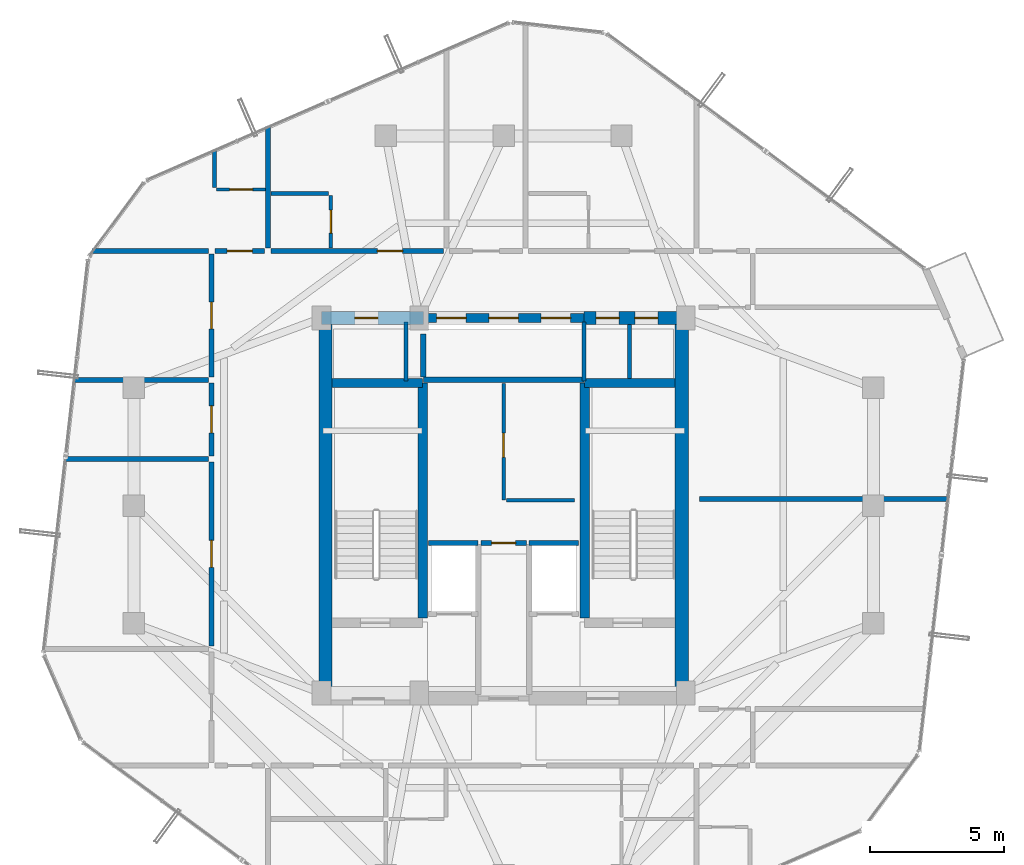
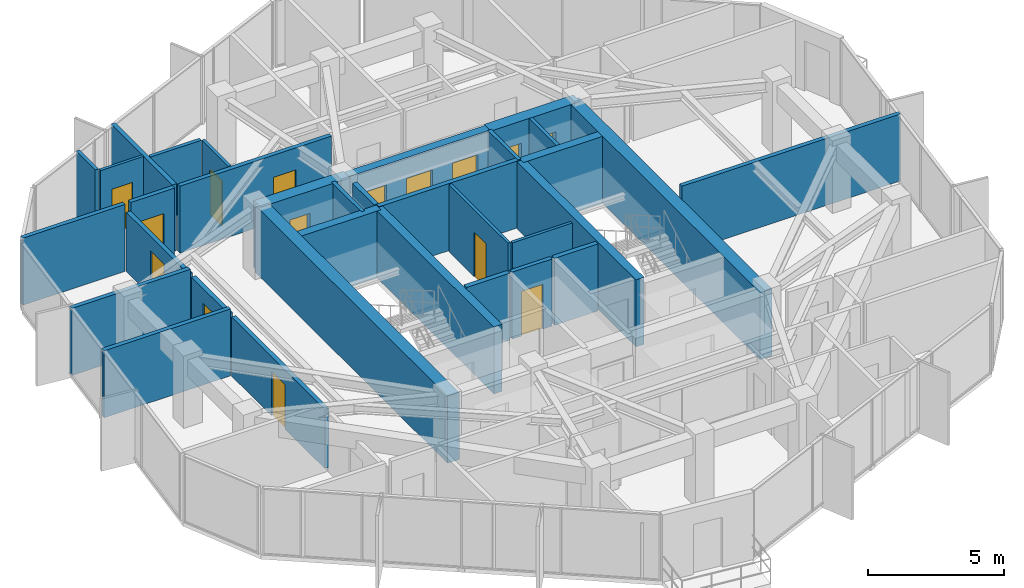
# One storey, part 27 of 30: 33 walls, 15 doors, 15 openings.
"""IFC4 building model written with IfcOpenShell, lengths in metres."""

from ifc_helpers import new_model, si_unit, direction, frame, frame_2d, origin, place, context, subcontext, project, spatial, rectangle, extrude, source, transform, mapped, material, layer, layer_set, type_object, element, fill, save


model = new_model("IFC4")

# Units and contexts
model_context = context("Model", 3, precision=1e-05, world=origin(), true_north=direction((0.0, 1.0)))
body_context = subcontext(model_context, "Body", "Model", "MODEL_VIEW")
ifc_project = project(units=[si_unit("LENGTHUNIT", "METRE"), si_unit("AREAUNIT", "SQUARE_METRE"), si_unit("VOLUMEUNIT", "CUBIC_METRE"), si_unit("PLANEANGLEUNIT", "RADIAN"), si_unit("MASSUNIT", "GRAM", prefix="KILO")], contexts=[model_context])

# Site, building, storey
site_placement = place(None, origin())
site = spatial("IfcSite", under=ifc_project, at=site_placement, CompositionType="ELEMENT")
building_placement = place(site_placement, origin())
building = spatial("IfcBuilding", under=site, at=building_placement, Name="Veraguas Prism Commons", CompositionType="ELEMENT")
storey_placement = place(building_placement, frame((0.0, 0.0, 230.050048828125)))
storey = spatial("IfcBuildingStorey", under=building, at=storey_placement, Name="L65", CompositionType="ELEMENT", Elevation=230.050048828125)

# Wall, openings, doors
ifc_material_1 = material(Name="Concrete C50/60", Category="concrete")
ifc_layer_1 = layer(ifc_material_1, 0.35009765625, Name="Core Internal Shear Wall Upper RC 350", Category="concrete")
ifc_layer_set_1 = layer_set([ifc_layer_1], Name="Concrete C50/60")
wall_type_1 = type_object("IfcWallType", Name="Core Internal Shear Wall Upper RC 350", PredefinedType="SHEAR", material=ifc_layer_set_1)
wall_1_placement = place(storey_placement, frame((21.0, 31.0, 0.0), z_axis=(0.0, 0.0, 1.0), x_axis=(1.0, 0.0, 0.0)))
wall_1 = element("IfcWall", 1, at=wall_1_placement, inside=storey, type_object=wall_type_1, Name="High-Rise Lift Bank Front Shear Wall L65", PredefinedType="SHEAR", context=body_context, shape_type="SweptSolid", body=[
    extrude(rectangle(XDim=6.0, YDim=0.35009765625, at=frame_2d((3.0, 0.0))), origin(), (0.0, 0.0, 1.0), 3.014892578125),
])
opening_1_placement = place(wall_1_placement, frame((0.5, 0.0, 0.0)))
opening_1 = element("IfcOpeningElement", 2, at=opening_1_placement, cuts=wall_1, Name="Opening LD-01", PredefinedType="OPENING", context=body_context, shape_type="SweptSolid", body=[
    extrude(rectangle(XDim=1.10009765625, YDim=2.080078125, at=frame_2d((0.550048828125, 1.0400390625))), frame((0.0, 0.18505859375, 0.0), z_axis=(0.0, -1.0, 0.0), x_axis=(1.0, 0.0, 0.0)), (0.0, 0.0, 1.0), 0.3701171875),
])
opening_2_placement = place(wall_1_placement, frame((2.449951171875, 0.0, 0.0)))
opening_2 = element("IfcOpeningElement", 3, at=opening_2_placement, cuts=wall_1, Name="Opening LD-01", PredefinedType="OPENING", context=body_context, shape_type="SweptSolid", body=[
    extrude(rectangle(XDim=1.10009765625, YDim=2.080078125, at=frame_2d((0.550048828125, 1.0400390625))), frame((0.0, 0.18505859375, 0.0), z_axis=(0.0, -1.0, 0.0), x_axis=(1.0, 0.0, 0.0)), (0.0, 0.0, 1.0), 0.3701171875),
])
opening_3_placement = place(wall_1_placement, frame((4.39990234375, 0.0, 0.0)))
opening_3 = element("IfcOpeningElement", 4, at=opening_3_placement, cuts=wall_1, Name="Opening LD-01", PredefinedType="OPENING", context=body_context, shape_type="SweptSolid", body=[
    extrude(rectangle(XDim=1.10009765625, YDim=2.080078125, at=frame_2d((0.550048828125, 1.0400390625))), frame((0.0, 0.18505859375, 0.0), z_axis=(0.0, -1.0, 0.0), x_axis=(1.0, 0.0, 0.0)), (0.0, 0.0, 1.0), 0.3701171875),
])
ifc_material_2 = material(Name="Stainless steel AISI 316", Category="steel")
door_type_1 = type_object("IfcDoorType", Name="Passenger Lift Sliding Landing Door 1100x2080", OperationType="NOTDEFINED", PredefinedType="DOOR", material=ifc_material_2)
shared_shape_1 = source(origin(), body_context, "Body", "SweptSolid", [
    extrude(rectangle(XDim=1.10009765625, YDim=2.080078125, at=frame_2d((0.550048828125, 1.0400390625))), frame((0.0, 0.02490234375, 0.0), z_axis=(0.0, -1.0, 0.0), x_axis=(1.0, 0.0, 0.0)), (0.0, 0.0, 1.0), 0.050048828125),
])
door_1_placement = place(opening_1_placement, origin())
door_1 = element("IfcDoor", 5, at=door_1_placement, inside=storey, type_object=door_type_1, Name="Sliding Landing Door PL-H1 L65", OperationType="SLIDING_TO_LEFT", OverallHeight=2.080078125, OverallWidth=1.10009765625, PredefinedType="DOOR", context=body_context, shape_type="MappedRepresentation", body=[
    mapped(shared_shape_1, transform((0.0, 0.0, 0.0), scale=1.0)),
])
fill(opening_1, door_1)
door_2_placement = place(opening_2_placement, origin())
door_2 = element("IfcDoor", 6, at=door_2_placement, inside=storey, type_object=door_type_1, Name="Sliding Landing Door PL-H2 L65", OperationType="SLIDING_TO_LEFT", OverallHeight=2.080078125, OverallWidth=1.10009765625, PredefinedType="DOOR", context=body_context, shape_type="MappedRepresentation", body=[
    mapped(shared_shape_1, transform((0.0, 0.0, 0.0), scale=1.0)),
])
fill(opening_2, door_2)
door_3_placement = place(opening_3_placement, origin())
door_3 = element("IfcDoor", 7, at=door_3_placement, inside=storey, type_object=door_type_1, Name="Sliding Landing Door PL-H3 L65", OperationType="SLIDING_TO_LEFT", OverallHeight=2.080078125, OverallWidth=1.10009765625, PredefinedType="DOOR", context=body_context, shape_type="MappedRepresentation", body=[
    mapped(shared_shape_1, transform((0.0, 0.0, 0.0), scale=1.0)),
])
fill(opening_3, door_3)

# Walls
for number, where, z_axis, x_axis, name in (
    (8, (20.97509765625, 19.800048828125, 0.0), (0.0, 0.0, 1.0), (0.0, 1.0, 0.0), "Stair ST-01 Inner Shear Wall L65"),
    (9, (27.02490234375, 19.800048828125, 0.0), (0.0, 0.0, 1.0), (0.0, 1.0, 0.0), "Stair ST-02 Inner Shear Wall L65"),
):
    element("IfcWall", number, at=place(storey_placement, frame(where, z_axis=z_axis, x_axis=x_axis)), inside=storey, type_object=wall_type_1, Name=name, PredefinedType="SHEAR", context=body_context, shape_type="SweptSolid", body=[
        extrude(rectangle(XDim=8.77490234375, YDim=0.35009765625, at=frame_2d((4.387451171875, 0.0))), origin(), (0.0, 0.0, 1.0), 3.014892578125),
    ])
for number, where, z_axis, x_axis, name in (
    (10, (17.60009765625, 28.574951171875, 0.0), (0.0, 0.0, 1.0), (1.0, 0.0, 0.0), "Stair ST-01 North Shear Wall L65"),
    (11, (27.02490234375, 28.574951171875, 0.0), (0.0, 0.0, 1.0), (1.0, 0.0, 0.0), "Stair ST-02 North Shear Wall L65"),
):
    element("IfcWall", number, at=place(storey_placement, frame(where, z_axis=z_axis, x_axis=x_axis)), inside=storey, type_object=wall_type_1, Name=name, PredefinedType="SHEAR", context=body_context, shape_type="SweptSolid", body=[
        extrude(rectangle(XDim=3.375, YDim=0.35009765625, at=frame_2d((1.6875, 0.0))), origin(), (0.0, 0.0, 1.0), 3.014892578125),
    ])
ifc_layer_2 = layer(ifc_material_1, 0.5, Name="Core Outer Shear Wall Upper RC 500", Category="concrete")
ifc_layer_set_2 = layer_set([ifc_layer_2], Name="Concrete C50/60")
wall_type_2 = type_object("IfcWallType", Name="Core Outer Shear Wall Upper RC 500", PredefinedType="SHEAR", material=ifc_layer_set_2)
for number, where, z_axis, x_axis, name in (
    (12, (17.35009765625, 16.800048828125, 0.0), (0.0, 0.0, 1.0), (0.0, 1.0, 0.0), "Central Core West Shear Wall L65"),
    (13, (30.64990234375, 16.800048828125, 0.0), (0.0, 0.0, 1.0), (0.0, 1.0, 0.0), "Central Core East Shear Wall L65"),
):
    element("IfcWall", number, at=place(storey_placement, frame(where, z_axis=z_axis, x_axis=x_axis)), inside=storey, type_object=wall_type_2, Name=name, PredefinedType="SHEAR", context=body_context, shape_type="SweptSolid", body=[
        extrude(rectangle(XDim=14.199951171875, YDim=0.5, at=frame_2d((7.10009765625, 0.0))), origin(), (0.0, 0.0, 1.0), 3.014892578125),
    ])

# Wall, opening, door
wall_2_placement = place(storey_placement, frame((17.199951171875, 31.0, 0.0), z_axis=(0.0, 0.0, 1.0), x_axis=(1.0, 0.0, 0.0)))
wall_2 = element("IfcWall", 14, at=wall_2_placement, inside=storey, type_object=wall_type_2, Name="Central Core North-West Shear Wall L65", PredefinedType="SHEAR", context=body_context, shape_type="SweptSolid", body=[
    extrude(rectangle(XDim=3.800048828125, YDim=0.5, at=frame_2d((1.89990234375, 0.0))), origin(), (0.0, 0.0, 1.0), 3.014892578125),
])
opening_4_placement = place(wall_2_placement, frame((1.25, 0.0, 0.0)))
opening_4 = element("IfcOpeningElement", 15, at=opening_4_placement, cuts=wall_2, Name="Opening DR-12", PredefinedType="OPENING", context=body_context, shape_type="SweptSolid", body=[
    extrude(rectangle(XDim=0.860107421875, YDim=2.010009765625, at=frame_2d((0.43017578125, 1.0048828125))), frame((0.0, 0.260009765625, 0.0), z_axis=(0.0, -1.0, 0.0), x_axis=(1.0, 0.0, 0.0)), (0.0, 0.0, 1.0), 0.52001953125),
])
ifc_material_3 = material(Name="Steel fire-rated door assembly", Category="steel")
door_type_2 = type_object("IfcDoorType", Name="Core WC Fire Door 860x2010", OperationType="NOTDEFINED", PredefinedType="DOOR", material=ifc_material_3)
shared_shape_2 = source(origin(), body_context, "Body", "SweptSolid", [
    extrude(rectangle(XDim=0.860107421875, YDim=2.010009765625, at=frame_2d((0.43017578125, 1.0048828125))), frame((0.0, 0.02490234375, 0.0), z_axis=(0.0, -1.0, 0.0), x_axis=(1.0, 0.0, 0.0)), (0.0, 0.0, 1.0), 0.050048828125),
])
door_4_placement = place(opening_4_placement, origin())
door_4 = element("IfcDoor", 16, at=door_4_placement, inside=storey, type_object=door_type_2, Name="Core NW Service Door L65", OperationType="SINGLE_SWING_RIGHT", OverallHeight=2.010009765625, OverallWidth=0.860107421875, PredefinedType="DOOR", context=body_context, shape_type="MappedRepresentation", body=[
    mapped(shared_shape_2, transform((0.0, 0.0, 0.0), scale=1.0)),
])
fill(opening_4, door_4)

# Wall, openings, doors
wall_3_placement = place(storey_placement, frame((27.0, 31.0, 0.0), z_axis=(0.0, 0.0, 1.0), x_axis=(1.0, 0.0, 0.0)))
wall_3 = element("IfcWall", 17, at=wall_3_placement, inside=storey, type_object=wall_type_2, Name="Central Core North-East Shear Wall L65", PredefinedType="SHEAR", context=body_context, shape_type="SweptSolid", body=[
    extrude(rectangle(XDim=3.800048828125, YDim=0.5, at=frame_2d((1.89990234375, 0.0))), origin(), (0.0, 0.0, 1.0), 3.014892578125),
])
opening_5_placement = place(wall_3_placement, frame((0.449951171875, 0.0, 0.0)))
opening_5 = element("IfcOpeningElement", 18, at=opening_5_placement, cuts=wall_3, Name="Opening DR-12", PredefinedType="OPENING", context=body_context, shape_type="SweptSolid", body=[
    extrude(rectangle(XDim=0.860107421875, YDim=2.010009765625, at=frame_2d((0.43017578125, 1.0048828125))), frame((0.0, 0.260009765625, 0.0), z_axis=(0.0, -1.0, 0.0), x_axis=(1.0, 0.0, 0.0)), (0.0, 0.0, 1.0), 0.52001953125),
])
opening_6_placement = place(wall_3_placement, frame((1.89990234375, 0.0, 0.0)))
opening_6 = element("IfcOpeningElement", 19, at=opening_6_placement, cuts=wall_3, Name="Opening DR-12", PredefinedType="OPENING", context=body_context, shape_type="SweptSolid", body=[
    extrude(rectangle(XDim=0.860107421875, YDim=2.010009765625, at=frame_2d((0.43017578125, 1.0048828125))), frame((0.0, 0.260009765625, 0.0), z_axis=(0.0, -1.0, 0.0), x_axis=(1.0, 0.0, 0.0)), (0.0, 0.0, 1.0), 0.52001953125),
])
door_5_placement = place(opening_5_placement, origin())
door_5 = element("IfcDoor", 20, at=door_5_placement, inside=storey, type_object=door_type_2, Name="Core NE Room A Door L65", OperationType="SINGLE_SWING_LEFT", OverallHeight=2.010009765625, OverallWidth=0.860107421875, PredefinedType="DOOR", context=body_context, shape_type="MappedRepresentation", body=[
    mapped(shared_shape_2, transform((0.0, 0.0, 0.0), scale=1.0)),
])
fill(opening_5, door_5)
door_6_placement = place(opening_6_placement, origin())
door_6 = element("IfcDoor", 21, at=door_6_placement, inside=storey, type_object=door_type_2, Name="Core NE Room B Door L65", OperationType="SINGLE_SWING_RIGHT", OverallHeight=2.010009765625, OverallWidth=0.860107421875, PredefinedType="DOOR", context=body_context, shape_type="MappedRepresentation", body=[
    mapped(shared_shape_2, transform((0.0, 0.0, 0.0), scale=1.0)),
])
fill(opening_6, door_6)

# Wall, opening, door
ifc_material_4 = material(Name="Autoclaved aerated masonry block 10 MPa", Category="masonry")
ifc_layer_3 = layer(ifc_material_4, 0.179931640625, Name="Corridor and Inter-Tenancy Partition 180", Category="masonry")
ifc_layer_set_3 = layer_set([ifc_layer_3], Name="Autoclaved aerated masonry block 10 MPa")
wall_type_3 = type_object("IfcWallType", Name="Corridor and Inter-Tenancy Partition 180", PredefinedType="PARTITIONING", material=ifc_layer_set_3)
wall_4_placement = place(storey_placement, frame((23.14990234375, 22.60009765625, 0.0), z_axis=(0.0, 0.0, 1.0), x_axis=(1.0, 0.0, 0.0)))
wall_4 = element("IfcWall", 22, at=wall_4_placement, inside=storey, type_object=wall_type_3, Name="Core Suite Entry Wall L65", PredefinedType="PARTITIONING", context=body_context, shape_type="SweptSolid", body=[
    extrude(rectangle(XDim=1.7001953125, YDim=0.179931640625, at=frame_2d((0.85009765625, 0.0))), origin(), (0.0, 0.0, 1.0), 3.014892578125),
])
opening_7_placement = place(wall_4_placement, frame((0.39990234375, 0.0, 0.0)))
opening_7 = element("IfcOpeningElement", 23, at=opening_7_placement, cuts=wall_4, Name="Opening DR-14", PredefinedType="OPENING", context=body_context, shape_type="SweptSolid", body=[
    extrude(rectangle(XDim=0.89990234375, YDim=2.010009765625, at=frame_2d((0.449951171875, 1.0048828125))), frame((0.0, 0.099853515625, 0.0), z_axis=(0.0, -1.0, 0.0), x_axis=(1.0, 0.0, 0.0)), (0.0, 0.0, 1.0), 0.199951171875),
])
door_type_3 = type_object("IfcDoorType", Name="Core Service Room Fire Door 900x2010", OperationType="NOTDEFINED", PredefinedType="DOOR", material=ifc_material_3)
shared_shape_3 = source(origin(), body_context, "Body", "SweptSolid", [
    extrude(rectangle(XDim=0.89990234375, YDim=2.010009765625, at=frame_2d((0.449951171875, 1.0048828125))), frame((0.0, 0.02490234375, 0.0), z_axis=(0.0, -1.0, 0.0), x_axis=(1.0, 0.0, 0.0)), (0.0, 0.0, 1.0), 0.050048828125),
])
door_7_placement = place(opening_7_placement, origin())
door_7 = element("IfcDoor", 24, at=door_7_placement, inside=storey, type_object=door_type_3, Name="Core Suite Entry Door L65", OperationType="SINGLE_SWING_LEFT", OverallHeight=2.010009765625, OverallWidth=0.89990234375, PredefinedType="DOOR", context=body_context, shape_type="MappedRepresentation", body=[
    mapped(shared_shape_3, transform((0.0, 0.0, 0.0), scale=1.0)),
])
fill(opening_7, door_7)

# Wall
wall_5_placement = place(storey_placement, frame((15.199951171875, 33.6201171875, 0.0), z_axis=(0.0, 0.0, 1.0), x_axis=(0.0, 1.0, 0.0)))
element("IfcWall", 25, at=wall_5_placement, inside=storey, type_object=wall_type_3, Name="WL-L65-PT013", PredefinedType="PARTITIONING", context=body_context, shape_type="SweptSolid", body=[
    extrude(rectangle(XDim=4.528076171875, YDim=0.179931640625, at=frame_2d((2.26416015625, 0.0))), origin(), (0.0, 0.0, 1.0), 3.014892578125),
])

# Wall, opening, door
wall_6_placement = place(storey_placement, frame((15.31005859375, 33.5, 0.0), z_axis=(0.0, 0.0, 1.0), x_axis=(1.0, 0.0, 0.0)))
wall_6 = element("IfcWall", 26, at=wall_6_placement, inside=storey, type_object=wall_type_3, Name="WL-L65-PT017", PredefinedType="PARTITIONING", context=body_context, shape_type="SweptSolid", body=[
    extrude(rectangle(XDim=6.449951171875, YDim=0.179931640625, at=frame_2d((3.22509765625, 0.0))), origin(), (0.0, 0.0, 1.0), 3.014892578125),
])
opening_8_placement = place(wall_6_placement, frame((3.97412109375, 0.0, 0.0)))
opening_8 = element("IfcOpeningElement", 27, at=opening_8_placement, cuts=wall_6, Name="Opening DR-01", PredefinedType="OPENING", context=body_context, shape_type="SweptSolid", body=[
    extrude(rectangle(XDim=0.949951171875, YDim=2.02001953125, at=frame_2d((0.47509765625, 1.010009765625))), frame((0.0, 0.099853515625, 0.0), z_axis=(0.0, -1.0, 0.0), x_axis=(1.0, 0.0, 0.0)), (0.0, 0.0, 1.0), 0.199951171875),
])
ifc_material_5 = material(Name="Anodised aluminium EN AW-6063 T6", Category="aluminium")
door_type_4 = type_object("IfcDoorType", Name="Apartment Entrance Fire Door 950x2020", OperationType="NOTDEFINED", PredefinedType="DOOR", material=ifc_material_5)
shared_shape_4 = source(origin(), body_context, "Body", "SweptSolid", [
    extrude(rectangle(XDim=0.949951171875, YDim=2.02001953125, at=frame_2d((0.47509765625, 1.010009765625))), frame((0.0, 0.02490234375, 0.0), z_axis=(0.0, -1.0, 0.0), x_axis=(1.0, 0.0, 0.0)), (0.0, 0.0, 1.0), 0.050048828125),
])
door_8_placement = place(opening_8_placement, origin())
door_8 = element("IfcDoor", 28, at=door_8_placement, inside=storey, type_object=door_type_4, Name="Studio 65B Entrance Door", OperationType="SINGLE_SWING_RIGHT", OverallHeight=2.02001953125, OverallWidth=0.949951171875, PredefinedType="DOOR", context=body_context, shape_type="MappedRepresentation", body=[
    mapped(shared_shape_4, transform((0.0, 0.0, 0.0), scale=1.0)),
])
fill(opening_8, door_8)

# Wall
wall_7_placement = place(storey_placement, frame((12.97998046875, 33.5, 0.0), z_axis=(0.0, 0.0, 1.0), x_axis=(-1.0, 0.0, 0.0)))
element("IfcWall", 29, at=wall_7_placement, inside=storey, type_object=wall_type_3, Name="WL-L65-PT025", PredefinedType="PARTITIONING", context=body_context, shape_type="SweptSolid", body=[
    extrude(rectangle(XDim=4.34375, YDim=0.179931640625, at=frame_2d((2.171875, 0.0))), origin(), (0.0, 0.0, 1.0), 3.014892578125),
])

# Wall, opening, door
wall_8_placement = place(storey_placement, frame((13.10009765625, 18.759033203125, 0.0), z_axis=(0.0, 0.0, 1.0), x_axis=(0.0, 1.0, 0.0)))
wall_8 = element("IfcWall", 30, at=wall_8_placement, inside=storey, type_object=wall_type_3, Name="WL-L65-PT027", PredefinedType="PARTITIONING", context=body_context, shape_type="SweptSolid", body=[
    extrude(rectangle(XDim=6.875, YDim=0.179931640625, at=frame_2d((3.4375, 0.0))), origin(), (0.0, 0.0, 1.0), 2.661865234375),
])
opening_9_placement = place(wall_8_placement, frame((2.9375, 0.0, 0.0)))
opening_9 = element("IfcOpeningElement", 31, at=opening_9_placement, cuts=wall_8, Name="Opening DR-13", PredefinedType="OPENING", context=body_context, shape_type="SweptSolid", body=[
    extrude(rectangle(XDim=1.0, YDim=2.010009765625, at=frame_2d((0.5, 1.0048828125))), frame((0.0, 0.099853515625, 0.0), z_axis=(0.0, -1.0, 0.0), x_axis=(1.0, 0.0, 0.0)), (0.0, 0.0, 1.0), 0.199951171875),
])
door_type_5 = type_object("IfcDoorType", Name="Core Accessible WC and Clinic Fire Door 1000x2010", OperationType="NOTDEFINED", PredefinedType="DOOR", material=ifc_material_3)
shared_shape_5 = source(origin(), body_context, "Body", "SweptSolid", [
    extrude(rectangle(XDim=1.0, YDim=2.010009765625, at=frame_2d((0.5, 1.0048828125))), frame((0.0, 0.02490234375, 0.0), z_axis=(0.0, -1.0, 0.0), x_axis=(1.0, 0.0, 0.0)), (0.0, 0.0, 1.0), 0.050048828125),
])
door_9_placement = place(opening_9_placement, origin())
door_9 = element("IfcDoor", 32, at=door_9_placement, inside=storey, type_object=door_type_5, Name="Co-op Store W Door", OperationType="SINGLE_SWING_LEFT", OverallHeight=2.010009765625, OverallWidth=1.0, PredefinedType="DOOR", context=body_context, shape_type="MappedRepresentation", body=[
    mapped(shared_shape_5, transform((0.0, 0.0, 0.0), scale=1.0)),
])
fill(opening_9, door_9)

# Wall
wall_9_placement = place(storey_placement, frame((12.97998046875, 25.743896484375, 0.0), z_axis=(0.0, 0.0, 1.0), x_axis=(-1.0, 0.0, 0.0)))
element("IfcWall", 33, at=wall_9_placement, inside=storey, type_object=wall_type_3, Name="WL-L65-PT029", PredefinedType="PARTITIONING", context=body_context, shape_type="SweptSolid", body=[
    extrude(rectangle(XDim=5.372314453125, YDim=0.179931640625, at=frame_2d((2.68603515625, 0.0))), origin(), (0.0, 0.0, 1.0), 3.014892578125),
])

# Wall, opening, door
wall_10_placement = place(storey_placement, frame((13.10009765625, 25.85400390625, 0.0), z_axis=(0.0, 0.0, 1.0), x_axis=(0.0, 1.0, 0.0)))
wall_10 = element("IfcWall", 34, at=wall_10_placement, inside=storey, type_object=wall_type_3, Name="WL-L65-PT030", PredefinedType="PARTITIONING", context=body_context, shape_type="SweptSolid", body=[
    extrude(rectangle(XDim=2.72705078125, YDim=0.179931640625, at=frame_2d((1.363525390625, 0.0))), origin(), (0.0, 0.0, 1.0), 2.661865234375),
])
opening_10_placement = place(wall_10_placement, frame((0.863525390625, 0.0, 0.0)))
opening_10 = element("IfcOpeningElement", 35, at=opening_10_placement, cuts=wall_10, Name="Opening DR-13", PredefinedType="OPENING", context=body_context, shape_type="SweptSolid", body=[
    extrude(rectangle(XDim=1.0, YDim=2.010009765625, at=frame_2d((0.5, 1.0048828125))), frame((0.0, 0.099853515625, 0.0), z_axis=(0.0, -1.0, 0.0), x_axis=(1.0, 0.0, 0.0)), (0.0, 0.0, 1.0), 0.199951171875),
])
door_10_placement = place(opening_10_placement, origin())
door_10 = element("IfcDoor", 36, at=door_10_placement, inside=storey, type_object=door_type_5, Name="Shared Laundry Room Door", OperationType="SINGLE_SWING_RIGHT", OverallHeight=2.010009765625, OverallWidth=1.0, PredefinedType="DOOR", context=body_context, shape_type="MappedRepresentation", body=[
    mapped(shared_shape_5, transform((0.0, 0.0, 0.0), scale=1.0)),
])
fill(opening_10, door_10)

wall_11_placement = place(storey_placement, frame((13.10009765625, 28.801025390625, 0.0), z_axis=(0.0, 0.0, 1.0), x_axis=(0.0, 1.0, 0.0)))
wall_11 = element("IfcWall", 37, at=wall_11_placement, inside=storey, type_object=wall_type_3, Name="WL-L65-PT031", PredefinedType="PARTITIONING", context=body_context, shape_type="SweptSolid", body=[
    extrude(rectangle(XDim=4.5888671875, YDim=0.179931640625, at=frame_2d((2.29443359375, 0.0))), origin(), (0.0, 0.0, 1.0), 2.661865234375),
])
opening_11_placement = place(wall_11_placement, frame((1.79443359375, 0.0, 0.0)))
opening_11 = element("IfcOpeningElement", 38, at=opening_11_placement, cuts=wall_11, Name="Opening DR-13", PredefinedType="OPENING", context=body_context, shape_type="SweptSolid", body=[
    extrude(rectangle(XDim=1.0, YDim=2.010009765625, at=frame_2d((0.5, 1.0048828125))), frame((0.0, 0.099853515625, 0.0), z_axis=(0.0, -1.0, 0.0), x_axis=(1.0, 0.0, 0.0)), (0.0, 0.0, 1.0), 0.199951171875),
])
door_11_placement = place(opening_11_placement, origin())
door_11 = element("IfcDoor", 39, at=door_11_placement, inside=storey, type_object=door_type_5, Name="Co-op Store W Door", OperationType="SINGLE_SWING_LEFT", OverallHeight=2.010009765625, OverallWidth=1.0, PredefinedType="DOOR", context=body_context, shape_type="MappedRepresentation", body=[
    mapped(shared_shape_5, transform((0.0, 0.0, 0.0), scale=1.0)),
])
fill(opening_11, door_11)

# Walls
wall_12_placement = place(storey_placement, frame((12.97998046875, 28.69091796875, 0.0), z_axis=(0.0, 0.0, 1.0), x_axis=(-1.0, 0.0, 0.0)))
element("IfcWall", 40, at=wall_12_placement, inside=storey, type_object=wall_type_3, Name="WL-L65-PT032", PredefinedType="PARTITIONING", context=body_context, shape_type="SweptSolid", body=[
    extrude(rectangle(XDim=5.03759765625, YDim=0.179931640625, at=frame_2d((2.518798828125, 0.0))), origin(), (0.0, 0.0, 1.0), 3.014892578125),
])
wall_13_placement = place(storey_placement, frame((31.320068359375, 24.25, 0.0), z_axis=(0.0, 0.0, 1.0), x_axis=(1.0, 0.0, 0.0)))
element("IfcWall", 41, at=wall_13_placement, inside=storey, type_object=wall_type_3, Name="WL-L65-PT033", PredefinedType="PARTITIONING", context=body_context, shape_type="SweptSolid", body=[
    extrude(rectangle(XDim=9.298828125, YDim=0.179931640625, at=frame_2d((4.6494140625, 0.0))), origin(), (0.0, 0.0, 1.0), 3.014892578125),
])

# Wall, opening, door
wall_14_placement = place(storey_placement, frame((13.219970703125, 33.5, 0.0), z_axis=(0.0, 0.0, 1.0), x_axis=(1.0, 0.0, 0.0)))
wall_14 = element("IfcWall", 42, at=wall_14_placement, inside=storey, type_object=wall_type_3, Name="WL-L65-PT046", PredefinedType="PARTITIONING", context=body_context, shape_type="SweptSolid", body=[
    extrude(rectangle(XDim=1.860107421875, YDim=0.179931640625, at=frame_2d((0.93017578125, 0.0))), origin(), (0.0, 0.0, 1.0), 3.014892578125),
])
opening_12_placement = place(wall_14_placement, frame((0.455078125, 0.0, 0.0)))
opening_12 = element("IfcOpeningElement", 43, at=opening_12_placement, cuts=wall_14, Name="Opening DR-01", PredefinedType="OPENING", context=body_context, shape_type="SweptSolid", body=[
    extrude(rectangle(XDim=0.949951171875, YDim=2.02001953125, at=frame_2d((0.47509765625, 1.010009765625))), frame((0.0, 0.099853515625, 0.0), z_axis=(0.0, -1.0, 0.0), x_axis=(1.0, 0.0, 0.0)), (0.0, 0.0, 1.0), 0.199951171875),
])
door_12_placement = place(opening_12_placement, origin())
door_12 = element("IfcDoor", 44, at=door_12_placement, inside=storey, type_object=door_type_4, Name="Studio 65E Entrance Door", OperationType="SINGLE_SWING_LEFT", OverallHeight=2.02001953125, OverallWidth=0.949951171875, PredefinedType="DOOR", context=body_context, shape_type="MappedRepresentation", body=[
    mapped(shared_shape_4, transform((0.0, 0.0, 0.0), scale=1.0)),
])
fill(opening_12, door_12)

# Wall
ifc_material_6 = material(Name="Lightweight acoustic gypsum board")
ifc_layer_4 = layer(ifc_material_6, 0.125, Name="Internal Apartment Room Partition 125")
ifc_layer_set_4 = layer_set([ifc_layer_4], Name="Lightweight acoustic gypsum board")
wall_type_4 = type_object("IfcWallType", Name="Internal Apartment Room Partition 125", PredefinedType="PARTITIONING", material=ifc_layer_set_4)
wall_15_placement = place(storey_placement, frame((24.10009765625, 24.199951171875, 0.0), z_axis=(0.0, 0.0, 1.0), x_axis=(1.0, 0.0, 0.0)))
element("IfcWall", 45, at=wall_15_placement, inside=storey, type_object=wall_type_4, Name="Telehealth Pod South Wall L65", PredefinedType="PARTITIONING", context=body_context, shape_type="SweptSolid", body=[
    extrude(rectangle(XDim=2.5498046875, YDim=0.125, at=frame_2d((1.27490234375, 0.0))), origin(), (0.0, 0.0, 1.0), 3.014892578125),
])

# Wall, opening, door
wall_16_placement = place(storey_placement, frame((24.0, 24.199951171875, 0.0), z_axis=(0.0, 0.0, 1.0), x_axis=(0.0, 1.0, 0.0)))
wall_16 = element("IfcWall", 46, at=wall_16_placement, inside=storey, type_object=wall_type_4, Name="Telehealth Pod West Wall L65", PredefinedType="PARTITIONING", context=body_context, shape_type="SweptSolid", body=[
    extrude(rectangle(XDim=4.35009765625, YDim=0.125, at=frame_2d((2.175048828125, 0.0))), origin(), (0.0, 0.0, 1.0), 3.014892578125),
])
opening_13_placement = place(wall_16_placement, frame((1.60009765625, 0.0, 0.0)))
opening_13 = element("IfcOpeningElement", 47, at=opening_13_placement, cuts=wall_16, Name="Opening DR-02", PredefinedType="OPENING", context=body_context, shape_type="SweptSolid", body=[
    extrude(rectangle(XDim=0.89990234375, YDim=2.010009765625, at=frame_2d((0.449951171875, 1.0048828125))), frame((0.0, 0.072509765625, 0.0), z_axis=(0.0, -1.0, 0.0), x_axis=(1.0, 0.0, 0.0)), (0.0, 0.0, 1.0), 0.14501953125),
])
ifc_material_7 = material(Name="Timber solid core hardwood", Category="wood")
door_type_6 = type_object("IfcDoorType", Name="Internal Habitable Room Door 900x2010", OperationType="NOTDEFINED", PredefinedType="DOOR", material=ifc_material_7)
door_13_placement = place(opening_13_placement, origin())
door_13 = element("IfcDoor", 48, at=door_13_placement, inside=storey, type_object=door_type_6, Name="Telehealth Pod Door L65", OperationType="SINGLE_SWING_RIGHT", OverallHeight=2.010009765625, OverallWidth=0.89990234375, PredefinedType="DOOR", context=body_context, shape_type="MappedRepresentation", body=[
    mapped(shared_shape_3, transform((0.0, 0.0, 0.0), scale=1.0)),
])
fill(opening_13, door_13)

wall_17_placement = place(storey_placement, frame((17.550048828125, 33.6201171875, 0.0), z_axis=(0.0, 0.0, 1.0), x_axis=(0.0, 1.0, 0.0)))
wall_17 = element("IfcWall", 49, at=wall_17_placement, inside=storey, type_object=wall_type_4, Name="WL-L65-PT018", PredefinedType="PARTITIONING", context=body_context, shape_type="SweptSolid", body=[
    extrude(rectangle(XDim=1.949951171875, YDim=0.125, at=frame_2d((0.97509765625, 0.0))), origin(), (0.0, 0.0, 1.0), 3.014892578125),
])
opening_14_placement = place(wall_17_placement, frame((0.544921875, 0.0, 0.0)))
opening_14 = element("IfcOpeningElement", 50, at=opening_14_placement, cuts=wall_17, Name="Opening DR-03", PredefinedType="OPENING", context=body_context, shape_type="SweptSolid", body=[
    extrude(rectangle(XDim=0.860107421875, YDim=2.010009765625, at=frame_2d((0.43017578125, 1.0048828125))), frame((0.0, 0.072509765625, 0.0), z_axis=(0.0, -1.0, 0.0), x_axis=(1.0, 0.0, 0.0)), (0.0, 0.0, 1.0), 0.14501953125),
])
ifc_material_8 = material(Name="Timber moisture-resistant leaf", Category="wood")
door_type_7 = type_object("IfcDoorType", Name="Internal Bathroom Door 860x2010", OperationType="NOTDEFINED", PredefinedType="DOOR", material=ifc_material_8)
door_14_placement = place(opening_14_placement, origin())
door_14 = element("IfcDoor", 51, at=door_14_placement, inside=storey, type_object=door_type_7, Name="Studio 65B Bathroom Door", OperationType="SINGLE_SWING_LEFT", OverallHeight=2.010009765625, OverallWidth=0.860107421875, PredefinedType="DOOR", context=body_context, shape_type="MappedRepresentation", body=[
    mapped(shared_shape_2, transform((0.0, 0.0, 0.0), scale=1.0)),
])
fill(opening_14, door_14)

wall_18_placement = place(storey_placement, frame((13.280029296875, 35.800048828125, 0.0), z_axis=(0.0, 0.0, 1.0), x_axis=(1.0, 0.0, 0.0)))
wall_18 = element("IfcWall", 52, at=wall_18_placement, inside=storey, type_object=wall_type_4, Name="WL-L65-PT047", PredefinedType="PARTITIONING", context=body_context, shape_type="SweptSolid", body=[
    extrude(rectangle(XDim=1.840087890625, YDim=0.125, at=frame_2d((0.919921875, 0.0))), origin(), (0.0, 0.0, 1.0), 3.014892578125),
])
opening_15_placement = place(wall_18_placement, frame((0.489990234375, 0.0, 0.0)))
opening_15 = element("IfcOpeningElement", 53, at=opening_15_placement, cuts=wall_18, Name="Opening DR-03", PredefinedType="OPENING", context=body_context, shape_type="SweptSolid", body=[
    extrude(rectangle(XDim=0.860107421875, YDim=2.010009765625, at=frame_2d((0.43017578125, 1.0048828125))), frame((0.0, 0.072509765625, 0.0), z_axis=(0.0, -1.0, 0.0), x_axis=(1.0, 0.0, 0.0)), (0.0, 0.0, 1.0), 0.14501953125),
])
door_15_placement = place(opening_15_placement, origin())
door_15 = element("IfcDoor", 54, at=door_15_placement, inside=storey, type_object=door_type_7, Name="Studio 65E Bathroom Door", OperationType="SINGLE_SWING_RIGHT", OverallHeight=2.010009765625, OverallWidth=0.860107421875, PredefinedType="DOOR", context=body_context, shape_type="MappedRepresentation", body=[
    mapped(shared_shape_2, transform((0.0, 0.0, 0.0), scale=1.0)),
])
fill(opening_15, door_15)

# Walls
ifc_layer_5 = layer(ifc_material_4, 0.199951171875, Name="Rated Shaft and Lobby Block Wall 200", Category="masonry")
ifc_layer_set_5 = layer_set([ifc_layer_5], Name="Autoclaved aerated masonry block 10 MPa")
wall_type_5 = type_object("IfcWallType", Name="Rated Shaft and Lobby Block Wall 200", PredefinedType="SOLIDWALL", material=ifc_layer_set_5)
for number, where, z_axis, x_axis, name in (
    (55, (21.199951171875, 22.60009765625, 0.0), (0.0, 0.0, 1.0), (1.0, 0.0, 0.0), "Firefighting Lift FFL-1 Rear Wall L65"),
    (56, (24.949951171875, 22.60009765625, 0.0), (0.0, 0.0, 1.0), (1.0, 0.0, 0.0), "Firefighting Lift FFL-2 Rear Wall L65"),
):
    element("IfcWall", number, at=place(storey_placement, frame(where, z_axis=z_axis, x_axis=x_axis)), inside=storey, type_object=wall_type_5, Name=name, PredefinedType="SOLIDWALL", context=body_context, shape_type="SweptSolid", body=[
        extrude(rectangle(XDim=1.85009765625, YDim=0.199951171875, at=frame_2d((0.925048828125, 0.0))), origin(), (0.0, 0.0, 1.0), 3.014892578125),
    ])
wall_19_placement = place(storey_placement, frame((21.0, 28.699951171875, 0.0), z_axis=(0.0, 0.0, 1.0), x_axis=(1.0, 0.0, 0.0)))
element("IfcWall", 57, at=wall_19_placement, inside=storey, type_object=wall_type_5, Name="High-Rise Lift Bank Rear Shaft Wall L65", PredefinedType="SOLIDWALL", context=body_context, shape_type="SweptSolid", body=[
    extrude(rectangle(XDim=6.0, YDim=0.199951171875, at=frame_2d((3.0, 0.0))), origin(), (0.0, 0.0, 1.0), 3.014892578125),
])
wall_20_placement = place(storey_placement, frame((21.0, 28.800048828125, 0.0), z_axis=(0.0, 0.0, 1.0), x_axis=(0.0, 1.0, 0.0)))
element("IfcWall", 58, at=wall_20_placement, inside=storey, type_object=wall_type_5, Name="High-Rise Lift Bank West Shaft Wall L65", PredefinedType="SOLIDWALL", context=body_context, shape_type="SweptSolid", body=[
    extrude(rectangle(XDim=1.599853515625, YDim=0.199951171875, at=frame_2d((0.7998046875, 0.0))), origin(), (0.0, 0.0, 1.0), 3.014892578125),
])
ifc_layer_6 = layer(ifc_material_6, 0.14990234375, Name="Wet Room and Clinic Acoustic Partition 150")
ifc_layer_set_6 = layer_set([ifc_layer_6], Name="Lightweight acoustic gypsum board")
wall_type_6 = type_object("IfcWallType", Name="Wet Room and Clinic Acoustic Partition 150", PredefinedType="PARTITIONING", material=ifc_layer_set_6)
for number, where, z_axis, x_axis, name in (
    (59, (20.35009765625, 28.64990234375, 0.0), (0.0, 0.0, 1.0), (0.0, 1.0, 0.0), "Core NW Service Inner Wall L65"),
    (60, (27.0, 28.64990234375, 0.0), (0.0, 0.0, 1.0), (0.0, 1.0, 0.0), "Core NE Service Inner Wall L65"),
):
    element("IfcWall", number, at=place(storey_placement, frame(where, z_axis=z_axis, x_axis=x_axis)), inside=storey, type_object=wall_type_6, Name=name, PredefinedType="PARTITIONING", context=body_context, shape_type="SweptSolid", body=[
        extrude(rectangle(XDim=2.2001953125, YDim=0.14990234375, at=frame_2d((1.10009765625, 0.0))), origin(), (0.0, 0.0, 1.0), 3.014892578125),
    ])
wall_21_placement = place(storey_placement, frame((28.699951171875, 28.75, 0.0), z_axis=(0.0, 0.0, 1.0), x_axis=(0.0, 1.0, 0.0)))
element("IfcWall", 61, at=wall_21_placement, inside=storey, type_object=wall_type_6, Name="WL-L65-CSVD1", PredefinedType="PARTITIONING", context=body_context, shape_type="SweptSolid", body=[
    extrude(rectangle(XDim=2.0, YDim=0.14990234375, at=frame_2d((1.0, 0.0))), origin(), (0.0, 0.0, 1.0), 3.014892578125),
])
wall_22_placement = place(storey_placement, frame((15.320068359375, 35.64990234375, 0.0), z_axis=(0.0, 0.0, 1.0), x_axis=(1.0, 0.0, 0.0)))
element("IfcWall", 62, at=wall_22_placement, inside=storey, type_object=wall_type_6, Name="WL-L65-PT019", PredefinedType="PARTITIONING", context=body_context, shape_type="SweptSolid", body=[
    extrude(rectangle(XDim=2.14990234375, YDim=0.14990234375, at=frame_2d((1.074951171875, 0.0))), origin(), (0.0, 0.0, 1.0), 3.014892578125),
])
wall_23_placement = place(storey_placement, frame((13.199951171875, 35.8798828125, 0.0), z_axis=(0.0, 0.0, 1.0), x_axis=(0.0, 1.0, 0.0)))
element("IfcWall", 63, at=wall_23_placement, inside=storey, type_object=wall_type_6, Name="WL-L65-PT048", PredefinedType="PARTITIONING", context=body_context, shape_type="SweptSolid", body=[
    extrude(rectangle(XDim=1.397705078125, YDim=0.14990234375, at=frame_2d((0.69873046875, 0.0))), origin(), (0.0, 0.0, 1.0), 3.014892578125),
])

save(model, "model.ifc")
